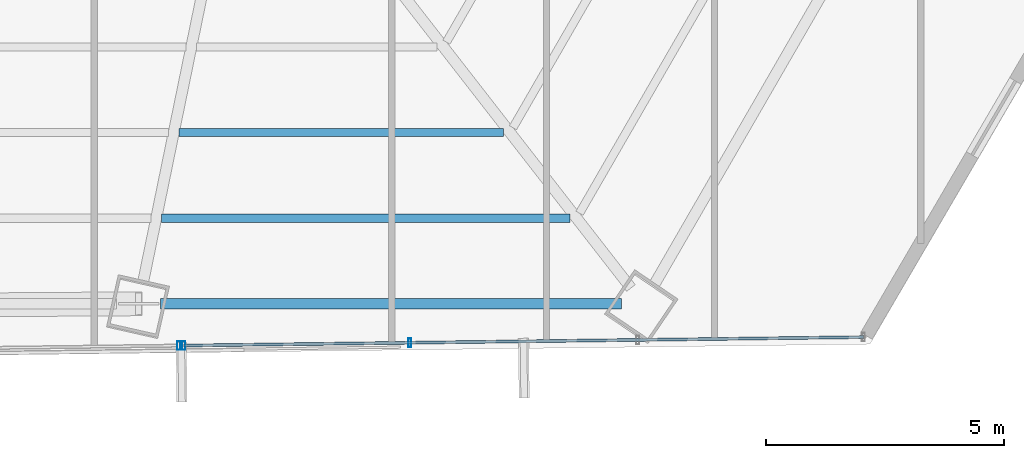
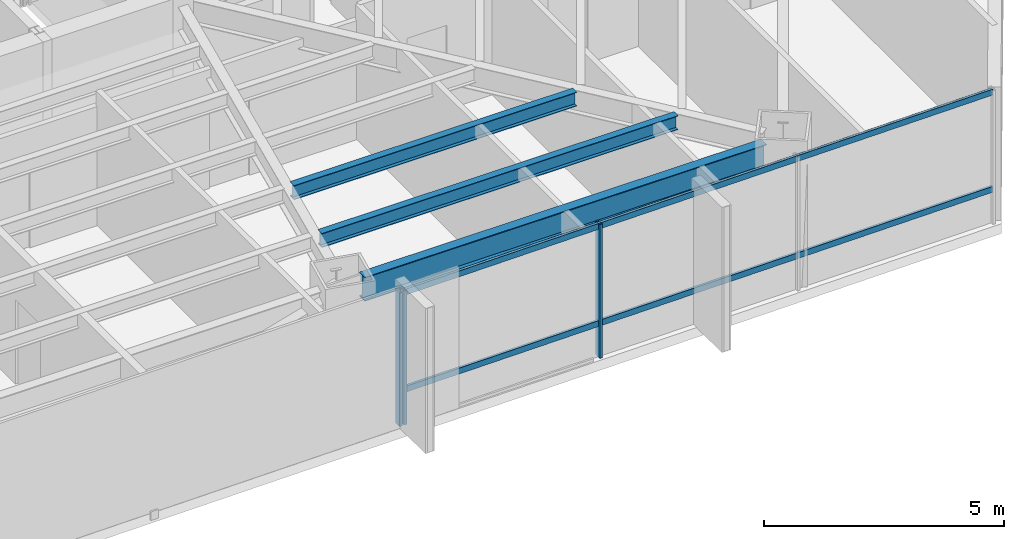
# One storey, part 16 of 37: 5 members, 3 beams, 2 elements without a shape of their own.
"""IFC4 building model written with IfcOpenShell, lengths in metres."""

from ifc_helpers import new_model, si_unit, direction, frame, origin, origin_2d, place, context, subcontext, project, spatial, hollow_rectangle, i_section, extrude, source, transform, mapped, material, material_profile, profile_set, type_object, type_shapes, element, aggregate, save


model = new_model("IFC4")

# Units and contexts
model_context = context("Model", 3, precision=1e-05, world=origin(), true_north=direction((0.0, 1.0)))
body_context = subcontext(model_context, "Body", "Model", "MODEL_VIEW")
ifc_project = project(units=[si_unit("LENGTHUNIT", "METRE"), si_unit("AREAUNIT", "SQUARE_METRE"), si_unit("VOLUMEUNIT", "CUBIC_METRE"), si_unit("PLANEANGLEUNIT", "RADIAN"), si_unit("MASSUNIT", "GRAM", prefix="KILO")], contexts=[model_context])

# Site, building, storey
site_placement = place(None, origin())
site = spatial("IfcSite", under=ifc_project, at=site_placement, CompositionType="ELEMENT")
building_placement = place(site_placement, origin())
building = spatial("IfcBuilding", under=site, at=building_placement, Name="Caelisora Broadcast Tower", CompositionType="ELEMENT")
storey_placement = place(building_placement, frame((0.0, 0.0, 116.35009765625)))
storey = spatial("IfcBuildingStorey", under=building, at=storey_placement, Name="L30", CompositionType="ELEMENT", Elevation=116.35009765625)

# Beams
ifc_material_1 = material(Name="Steel Grade 350 (AS/NZS 3679.1)", Category="steel")
ifc_material_profile_1 = material_profile(ifc_material_1, i_section(OverallWidth=0.22900390625, OverallDepth=0.611572265625, WebThickness=0.011962890625, FlangeThickness=0.01953125, at=origin_2d()), Name="Steel Grade 350 (AS/NZS 3679.1)")
ifc_profile_set_1 = profile_set([ifc_material_profile_1], Name="Steel Grade 350 (AS/NZS 3679.1)")
beam_type_1 = type_object("IfcBeamType", Name="PG03", PredefinedType="BEAM", material=ifc_profile_set_1)
shared_shape_1 = source(origin(), body_context, "Body", "SweptSolid", [
    extrude(i_section(OverallWidth=0.22900390625, OverallDepth=0.611572265625, WebThickness=0.011962890625, FlangeThickness=0.01953125, at=origin_2d()), origin(), (0.0, 0.0, 1.0), 9.66455078125),
])
type_shapes(beam_type_1, [shared_shape_1])
beam_1_placement = place(storey_placement, frame((43.752197265625, 6.630126953125, 3.093994140625), z_axis=(1.0, 0.0, 0.0), x_axis=(0.0, 1.0, 0.0)))
element("IfcBeam", 1, at=beam_1_placement, inside=storey, type_object=beam_type_1, Name="L30 beam PG03", PredefinedType="BEAM", context=body_context, shape_type="MappedRepresentation", body=[
    mapped(shared_shape_1, transform((0.0, 0.0, 0.0), scale=1.0)),
])
ifc_material_profile_2 = material_profile(ifc_material_1, i_section(OverallWidth=0.172119140625, OverallDepth=0.358642578125, WebThickness=0.008056640625, FlangeThickness=0.012939453125, at=origin_2d()), Name="Steel Grade 350 (AS/NZS 3679.1)")
ifc_profile_set_2 = profile_set([ifc_material_profile_2], Name="Steel Grade 350 (AS/NZS 3679.1)")
beam_type_2 = type_object("IfcBeamType", Name="SB02", PredefinedType="JOIST", material=ifc_profile_set_2)
shared_shape_2 = source(origin(), body_context, "Body", "SweptSolid", [
    extrude(i_section(OverallWidth=0.172119140625, OverallDepth=0.358642578125, WebThickness=0.008056640625, FlangeThickness=0.012939453125, at=origin_2d()), origin(), (0.0, 0.0, 1.0), 6.801513671875),
])
beam_2_placement = place(storey_placement, frame((44.1416015625, 10.22021484375, 3.220703125), z_axis=(1.0, 0.0, 0.0), x_axis=(0.0, 1.0, 0.0)))
element("IfcBeam", 2, at=beam_2_placement, inside=storey, type_object=beam_type_2, Name="L30 beam SB02", PredefinedType="JOIST", context=body_context, shape_type="MappedRepresentation", body=[
    mapped(shared_shape_2, transform((0.0, 0.0, 0.0), scale=1.0)),
])
shared_shape_3 = source(origin(), body_context, "Body", "SweptSolid", [
    extrude(i_section(OverallWidth=0.172119140625, OverallDepth=0.358642578125, WebThickness=0.008056640625, FlangeThickness=0.012939453125, at=origin_2d()), origin(), (0.0, 0.0, 1.0), 8.565673828125),
])
type_shapes(beam_type_2, [shared_shape_2, shared_shape_3])
beam_3_placement = place(storey_placement, frame((43.773681640625, 8.42529296875, 3.220703125), z_axis=(1.0, 0.0, 0.0), x_axis=(0.0, 1.0, 0.0)))
element("IfcBeam", 3, at=beam_3_placement, inside=storey, type_object=beam_type_2, Name="L30 beam SB02", PredefinedType="JOIST", context=body_context, shape_type="MappedRepresentation", body=[
    mapped(shared_shape_3, transform((0.0, 0.0, 0.0), scale=1.0)),
])

# Curtain wall, members
ifc_material_2 = material(Name="Unitised Aluminium and Low-E Glass Curtain Wall", Category="glass")
curtain_wall_type_1 = type_object("IfcCurtainWallType", Name="CW-Z2", PredefinedType="NOTDEFINED", material=ifc_material_2)
curtain_wall_1_placement = place(storey_placement, origin())
curtain_wall_1 = element("IfcCurtainWall", 4, at=curtain_wall_1_placement, inside=storey, type_object=curtain_wall_type_1, Name="L30 curtain wall CW-Z2", PredefinedType="NOTDEFINED")
ifc_material_3 = material(Name="Aluminium 6063-T6 Anodised Terracotta Bronze", Category="aluminium")
ifc_material_profile_3 = material_profile(ifc_material_3, hollow_rectangle(XDim=0.06494140625, YDim=0.179931640625, WallThickness=0.00341796875, at=origin_2d()), Name="Aluminium 6063-T6 Anodised Terracotta Bronze")
ifc_profile_set_3 = profile_set([ifc_material_profile_3], Name="Aluminium 6063-T6 Anodised Terracotta Bronze")
member_type_1 = type_object("IfcMemberType", Name="CWM-02", PredefinedType="MULLION", material=ifc_profile_set_3)
shared_shape_4 = source(origin(), body_context, "Body", "SweptSolid", [
    extrude(hollow_rectangle(XDim=0.06494140625, YDim=0.179931640625, WallThickness=0.00341796875, at=origin_2d()), origin(), (0.0, 0.0, 1.0), 3.39990234375),
])
type_shapes(member_type_1, [shared_shape_4])
member_1_placement = place(storey_placement, frame((48.97607421875, 5.8125, 0.0), z_axis=(0.0, 0.0, 1.0), x_axis=(1.0, 0.0, 0.0)))
member_1 = element("IfcMember", 5, at=member_1_placement, type_object=member_type_1, Name="L30-CW-B05 mullion #2", PredefinedType="MULLION", context=body_context, shape_type="MappedRepresentation", body=[
    mapped(shared_shape_4, transform((0.0, 0.0, 0.0), scale=1.0)),
])
member_2_placement = place(storey_placement, frame((44.240966796875, 5.75390625, 0.0), z_axis=(0.0, 0.0, 1.0), x_axis=(1.0, 0.0, 0.0)))
member_2 = element("IfcMember", 6, at=member_2_placement, type_object=member_type_1, Name="L30-CW-B05 mullion #3", PredefinedType="MULLION", context=body_context, shape_type="MappedRepresentation", body=[
    mapped(shared_shape_4, transform((0.0, 0.0, 0.0), scale=1.0)),
])

# Curtain wall, member
ifc_material_4 = material(Name="Unitised Aluminium Insulated Shadow-Box Spandrel Curtain Wall", Category="aluminium")
curtain_wall_type_2 = type_object("IfcCurtainWallType", Name="CW-SP1", PredefinedType="NOTDEFINED", material=ifc_material_4)
curtain_wall_2_placement = place(storey_placement, origin())
curtain_wall_2 = element("IfcCurtainWall", 7, at=curtain_wall_2_placement, inside=storey, type_object=curtain_wall_type_2, Name="L30 curtain wall CW-SP1", PredefinedType="NOTDEFINED")
member_3_placement = place(storey_placement, frame((44.130859375, 5.75244140625, 0.0), z_axis=(0.0, 0.0, 1.0), x_axis=(1.0, 0.0, 0.0)))
member_3 = element("IfcMember", 8, at=member_3_placement, type_object=member_type_1, Name="L30-CW-B06 mullion #0", PredefinedType="MULLION", context=body_context, shape_type="MappedRepresentation", body=[
    mapped(shared_shape_4, transform((0.0, 0.0, 0.0), scale=1.0)),
])
aggregate(curtain_wall_2, [member_3])

# Member
ifc_material_profile_4 = material_profile(ifc_material_3, hollow_rectangle(XDim=0.06005859375, YDim=0.14990234375, WallThickness=0.00341796875, at=origin_2d()), Name="Aluminium 6063-T6 Anodised Terracotta Bronze")
ifc_profile_set_4 = profile_set([ifc_material_profile_4], Name="Aluminium 6063-T6 Anodised Terracotta Bronze")
member_type_2 = type_object("IfcMemberType", Name="CWT-02", PredefinedType="USERDEFINED", material=ifc_profile_set_4)
shared_shape_5 = source(origin(), body_context, "Body", "SweptSolid", [
    extrude(hollow_rectangle(XDim=0.06005859375, YDim=0.14990234375, WallThickness=0.00341796875, at=origin_2d()), origin(), (0.0, 0.0, 1.0), 14.256103515625),
])
type_shapes(member_type_2, [shared_shape_5])
member_4_placement = place(storey_placement, frame((58.49609375, 5.930419921875, 0.849853515625), z_axis=(-0.999923346042, -0.012381520135, 0.0), x_axis=(0.012381520135, -0.999923346042, 0.0)))
member_4 = element("IfcMember", 9, at=member_4_placement, type_object=member_type_2, Name="L30-CW-B05 transom #1", ObjectType="TRANSOM", PredefinedType="USERDEFINED", context=body_context, shape_type="MappedRepresentation", body=[
    mapped(shared_shape_5, transform((0.0, 0.0, 0.0), scale=1.0)),
])

member_5_placement = place(storey_placement, frame((58.49609375, 5.930419921875, 3.31982421875), z_axis=(-0.999923346042, -0.012381520135, 0.0), x_axis=(0.012381520135, -0.999923346042, 0.0)))
member_5 = element("IfcMember", 10, at=member_5_placement, type_object=member_type_2, Name="L30-CW-B05 transom #2", ObjectType="TRANSOM", PredefinedType="USERDEFINED", context=body_context, shape_type="MappedRepresentation", body=[
    mapped(shared_shape_5, transform((0.0, 0.0, 0.0), scale=1.0)),
])

aggregate(curtain_wall_1, [member_1, member_2, member_4, member_5])

save(model, "model.ifc")
